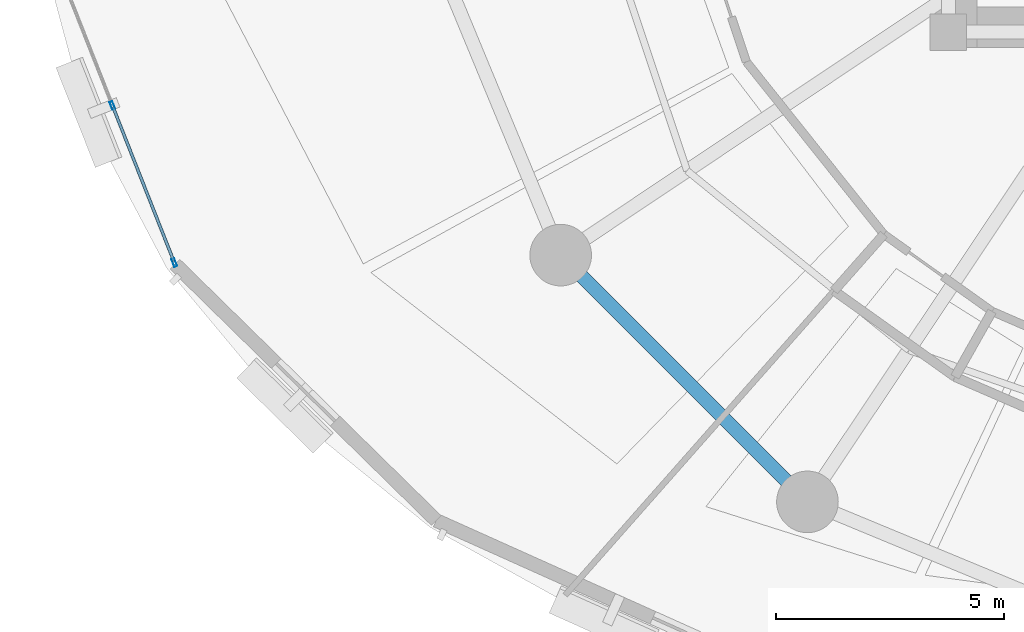
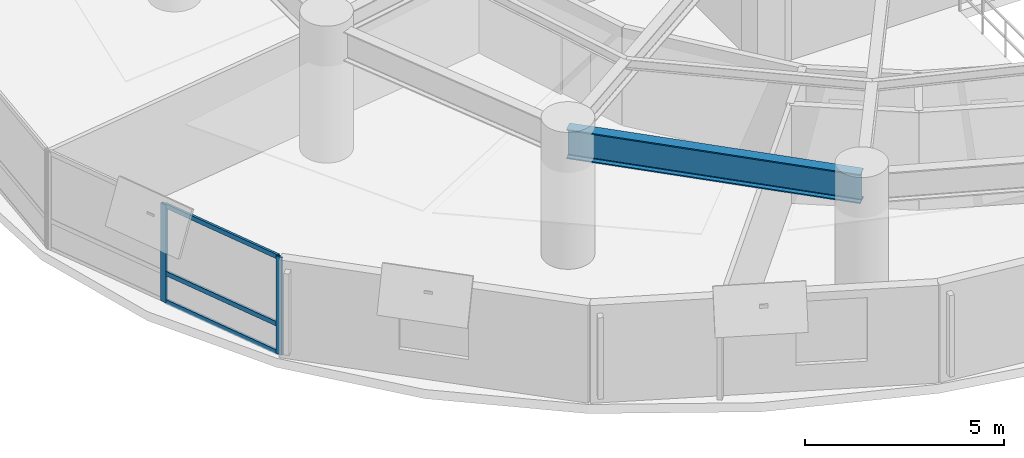
# One storey, part 2 of 17: 5 members, 1 beam, 1 element without a shape of its own.
"""IFC4 building model written with IfcOpenShell, lengths in metres."""

from ifc_helpers import new_model, si_unit, direction, frame, origin, origin_2d, place, context, subcontext, project, spatial, hollow_rectangle, i_section, extrude, material, layer, layer_set, material_profile, profile_set, type_object, element, aggregate, save


model = new_model("IFC4")

# Units and contexts
model_context = context("Model", 3, precision=1e-05, world=origin(), true_north=direction((0.0, 1.0)))
body_context = subcontext(model_context, "Body", "Model", "MODEL_VIEW")
ifc_project = project(units=[si_unit("LENGTHUNIT", "METRE"), si_unit("AREAUNIT", "SQUARE_METRE"), si_unit("VOLUMEUNIT", "CUBIC_METRE"), si_unit("PLANEANGLEUNIT", "RADIAN"), si_unit("MASSUNIT", "GRAM", prefix="KILO"), si_unit("THERMODYNAMICTEMPERATUREUNIT", "KELVIN"), si_unit("POWERUNIT", "WATT")], contexts=[model_context])

# Site, building, storey
site_placement = place(None, origin())
site = spatial("IfcSite", under=ifc_project, at=site_placement, CompositionType="ELEMENT")
building_placement = place(site_placement, origin())
building = spatial("IfcBuilding", under=site, at=building_placement, Name="Ocrelia Relay Tower", CompositionType="ELEMENT")
storey_placement = place(building_placement, frame((0.0, 0.0, 67.800048828125)))
storey = spatial("IfcBuildingStorey", under=building, at=storey_placement, Name="L15", CompositionType="ELEMENT", Elevation=67.800048828125)

# Beam
ifc_material_1 = material(Name="Steel S355", Category="steel")
ifc_material_profile_1 = material_profile(ifc_material_1, i_section(OverallWidth=0.300048828125, OverallDepth=0.89990234375, WebThickness=0.0185546875, FlangeThickness=0.034912109375, FilletRadius=0.030029296875, at=origin_2d()), Name="HEB 900")
ifc_profile_set_1 = profile_set([ifc_material_profile_1], Name="Steel S355")
beam_type = type_object("IfcBeamType", Name="BM-HEB900", PredefinedType="BEAM", material=ifc_profile_set_1)
beam_placement = place(storey_placement, frame((17.703125, 15.11083984375, 3.469970703125), z_axis=(0.707106781187, -0.707106781187, 0.0), x_axis=(0.707106781187, 0.707106781187, 0.0)))
element("IfcBeam", 1, at=beam_placement, inside=storey, type_object=beam_type, Name="L15 Perimeter Spandrel Beam S10", PredefinedType="BEAM", context=body_context, shape_type="SweptSolid", body=[
    extrude(i_section(OverallWidth=0.300048828125, OverallDepth=0.89990234375, WebThickness=0.0185546875, FlangeThickness=0.034912109375, FilletRadius=0.030029296875, at=origin_2d()), origin(), (0.0, 0.0, 1.0), 7.647705078125),
])

# Curtain wall, members
ifc_material_2 = material(Name="Aluminium and solar-control low-E glass", Category="aluminium")
ifc_layer = layer(ifc_material_2, 0.179931640625, Name="Aluminium and solar-control low-E glass")
ifc_layer_set = layer_set([ifc_layer], Name="Aluminium and solar-control low-E glass")
curtain_wall_type = type_object("IfcCurtainWallType", Name="CW-SYS-Z1-DATA", PredefinedType="NOTDEFINED", material=ifc_layer_set)
curtain_wall_placement = place(storey_placement, origin())
curtain_wall = element("IfcCurtainWall", 2, at=curtain_wall_placement, inside=storey, type_object=curtain_wall_type, Name="L15 Elliptical Tower Curtain Wall Bay 10", PredefinedType="NOTDEFINED")
ifc_material_3 = material(Name="Anodised bronze aluminium", Category="aluminium")
ifc_material_profile_2 = material_profile(ifc_material_3, hollow_rectangle(XDim=0.070068359375, YDim=0.179931640625, WallThickness=0.006103515625, at=origin_2d()), Name="CW-MUL-180x70")
ifc_profile_set_2 = profile_set([ifc_material_profile_2], Name="Anodised bronze aluminium")
member_type_1 = type_object("IfcMemberType", Name="CW-SYS-Z1-DATA-MUL", PredefinedType="MULLION", material=ifc_profile_set_2)
member_1_placement = place(storey_placement, frame((7.87939453125, 18.389404296875, 0.0), z_axis=(0.0, 0.0, 1.0), x_axis=(0.930352257537, 0.366666983645, 0.0)))
member_1 = element("IfcMember", 3, at=member_1_placement, type_object=member_type_1, Name="CW-Z1 mullion 2", PredefinedType="MULLION", context=body_context, shape_type="SweptSolid", body=[
    extrude(hollow_rectangle(XDim=0.070068359375, YDim=0.179931640625, WallThickness=0.006103515625, at=origin_2d()), origin(), (0.0, 0.0, 1.0), 3.0),
])
member_2_placement = place(storey_placement, frame((9.237060546875, 14.944580078125, 0.0), z_axis=(0.0, 0.0, 1.0), x_axis=(0.930352257537, 0.366666983645, 0.0)))
member_2 = element("IfcMember", 4, at=member_2_placement, type_object=member_type_1, Name="CW-Z1 mullion 3", PredefinedType="MULLION", context=body_context, shape_type="SweptSolid", body=[
    extrude(hollow_rectangle(XDim=0.070068359375, YDim=0.179931640625, WallThickness=0.006103515625, at=origin_2d()), origin(), (0.0, 0.0, 1.0), 3.0),
])
ifc_material_profile_3 = material_profile(ifc_material_3, hollow_rectangle(XDim=0.06494140625, YDim=0.139892578125, WallThickness=0.0048828125, at=origin_2d()), Name="CW-TRN-140x65")
ifc_profile_set_3 = profile_set([ifc_material_profile_3], Name="Anodised bronze aluminium")
member_type_2 = type_object("IfcMemberType", Name="CW-SYS-Z1-DATA-TRN", PredefinedType="USERDEFINED", material=ifc_profile_set_3)
member_3_placement = place(storey_placement, frame((7.892333984375, 18.35693359375, 0.032470703125), z_axis=(0.366681418555, -0.930346568375, 0.0), x_axis=(0.930346568375, 0.366681418555, 0.0)))
member_3 = element("IfcMember", 5, at=member_3_placement, type_object=member_type_2, Name="CW-Z1 transom 2.1", ObjectType="TRANSOM", PredefinedType="USERDEFINED", context=body_context, shape_type="SweptSolid", body=[
    extrude(hollow_rectangle(XDim=0.06494140625, YDim=0.139892578125, WallThickness=0.0048828125, at=origin_2d()), origin(), (0.0, 0.0, 1.0), 3.632568359375),
])
member_4_placement = place(storey_placement, frame((7.892333984375, 18.35693359375, 0.89990234375), z_axis=(0.366681418555, -0.930346568375, 0.0), x_axis=(0.930346568375, 0.366681418555, 0.0)))
member_4 = element("IfcMember", 6, at=member_4_placement, type_object=member_type_2, Name="CW-Z1 transom 2.2", ObjectType="TRANSOM", PredefinedType="USERDEFINED", context=body_context, shape_type="SweptSolid", body=[
    extrude(hollow_rectangle(XDim=0.06494140625, YDim=0.139892578125, WallThickness=0.0048828125, at=origin_2d()), origin(), (0.0, 0.0, 1.0), 3.632568359375),
])
member_5_placement = place(storey_placement, frame((7.892333984375, 18.35693359375, 2.967529296875), z_axis=(0.366681418555, -0.930346568375, 0.0), x_axis=(0.930346568375, 0.366681418555, 0.0)))
member_5 = element("IfcMember", 7, at=member_5_placement, type_object=member_type_2, Name="CW-Z1 transom 2.3", ObjectType="TRANSOM", PredefinedType="USERDEFINED", context=body_context, shape_type="SweptSolid", body=[
    extrude(hollow_rectangle(XDim=0.06494140625, YDim=0.139892578125, WallThickness=0.0048828125, at=origin_2d()), origin(), (0.0, 0.0, 1.0), 3.632568359375),
])
aggregate(curtain_wall, [member_1, member_2, member_3, member_4, member_5])

save(model, "model.ifc")
